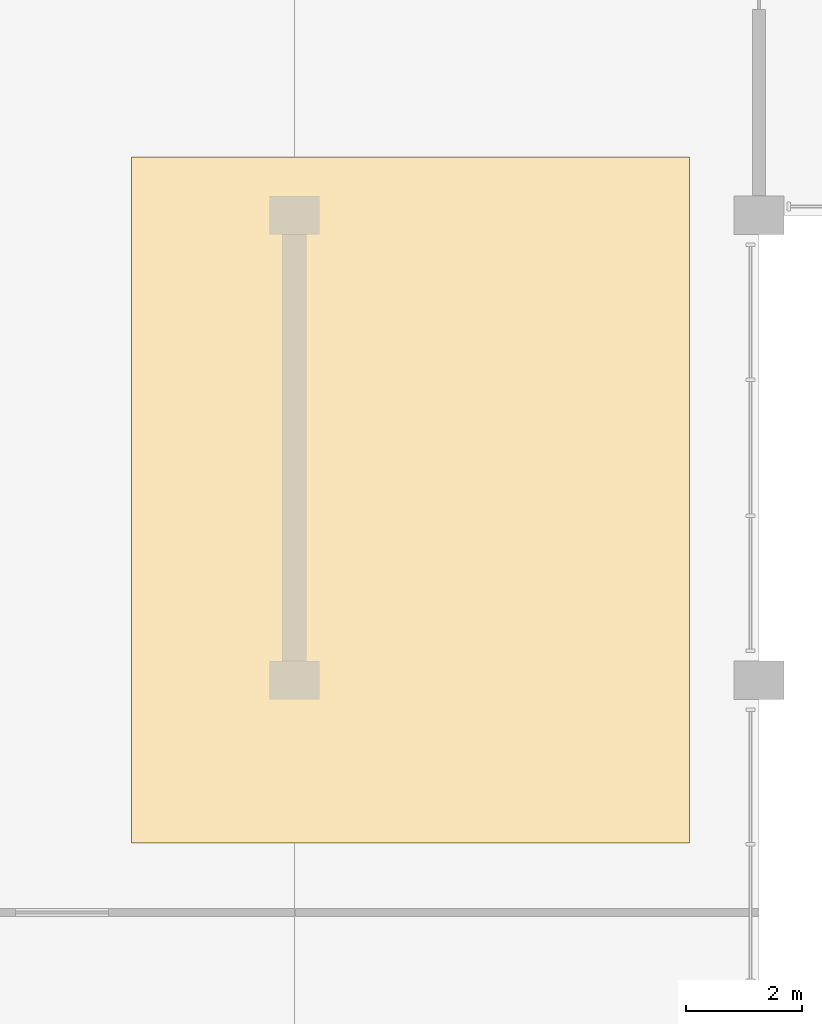
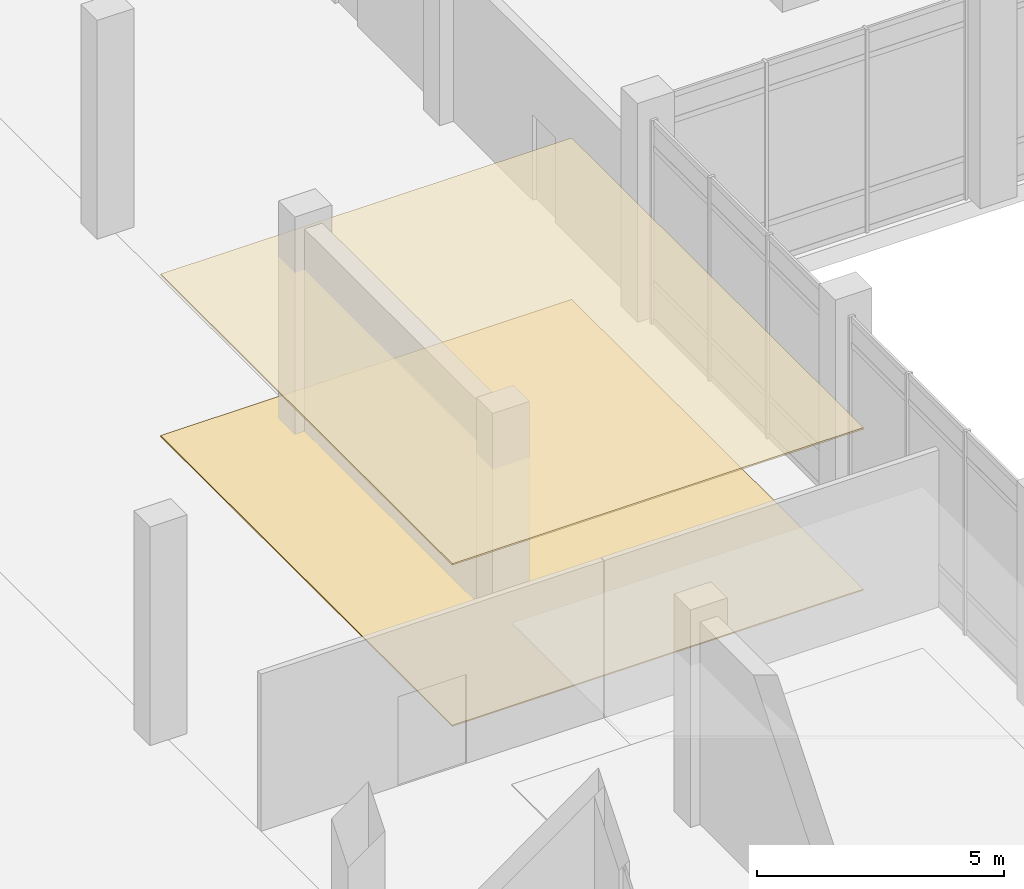
# One storey, part 38 of 42: 2 coverings.
"""IFC4 building model written with IfcOpenShell, lengths in metres."""

from ifc_helpers import new_model, si_unit, direction, frame, origin, place, context, subcontext, project, spatial, polyline, outline, extrude, material, layer, layer_set, type_object, element, save


model = new_model("IFC4")

# Units and contexts
model_context = context("Model", 3, precision=1e-05, world=origin(), true_north=direction((0.0, 1.0)))
body_context = subcontext(model_context, "Body", "Model", "MODEL_VIEW")
ifc_project = project(units=[si_unit("LENGTHUNIT", "METRE"), si_unit("AREAUNIT", "SQUARE_METRE"), si_unit("VOLUMEUNIT", "CUBIC_METRE"), si_unit("PLANEANGLEUNIT", "RADIAN"), si_unit("MASSUNIT", "GRAM", prefix="KILO")], contexts=[model_context])

# Site, building, storey
site_placement = place(None, origin())
site = spatial("IfcSite", under=ifc_project, at=site_placement, CompositionType="ELEMENT")
building_placement = place(site_placement, origin())
building = spatial("IfcBuilding", under=site, at=building_placement, Name="Pecanmere Concourse Central Library", CompositionType="ELEMENT")
storey_placement = place(building_placement, origin())
storey = spatial("IfcBuildingStorey", under=building, at=storey_placement, Name="L01", CompositionType="ELEMENT", Elevation=0.0)

# Coverings
ifc_material_1 = material(Name="Perforated mineral acoustic ceiling tile")
ifc_layer_1 = layer(ifc_material_1, 0.0400390625, Name="COV_CEIL_ACOUSTIC")
ifc_layer_set_1 = layer_set([ifc_layer_1], Name="Perforated mineral acoustic ceiling tile")
covering_type_1 = type_object("IfcCoveringType", Name="COV_CEIL_ACOUSTIC", PredefinedType="CEILING", material=ifc_layer_set_1)
covering_1_placement = place(storey_placement, frame((0.0, 0.0, 3.97998046875)))
element("IfcCovering", 1, at=covering_1_placement, inside=storey, type_object=covering_type_1, Name="Acoustic Coffered Ceiling L01-003", PredefinedType="CEILING", context=body_context, shape_type="SweptSolid", body=[
    extrude(outline(polyline([(117.199951171875, 79.199951171875), (126.800048828125, 79.199951171875), (126.800048828125, 91.0), (117.199951171875, 91.0), (117.199951171875, 79.199951171875)])), origin(), (0.0, 0.0, 1.0), 0.0400390625),
])
ifc_material_2 = material(Name="Polished epoxy terrazzo finish")
ifc_layer_2 = layer(ifc_material_2, 0.030029296875, Name="COV_FLR_TERRAZZO")
ifc_layer_set_2 = layer_set([ifc_layer_2], Name="Polished epoxy terrazzo finish")
covering_type_2 = type_object("IfcCoveringType", Name="COV_FLR_TERRAZZO", PredefinedType="FLOORING", material=ifc_layer_set_2)
covering_2_placement = place(storey_placement, origin())
element("IfcCovering", 2, at=covering_2_placement, inside=storey, type_object=covering_type_2, Name="Finished Flooring L01-003", PredefinedType="FLOORING", context=body_context, shape_type="SweptSolid", body=[
    extrude(outline(polyline([(117.199951171875, 79.199951171875), (126.800048828125, 79.199951171875), (126.800048828125, 91.0), (117.199951171875, 91.0), (117.199951171875, 79.199951171875)])), origin(), (0.0, 0.0, 1.0), 0.030029296875),
])

save(model, "model.ifc")
